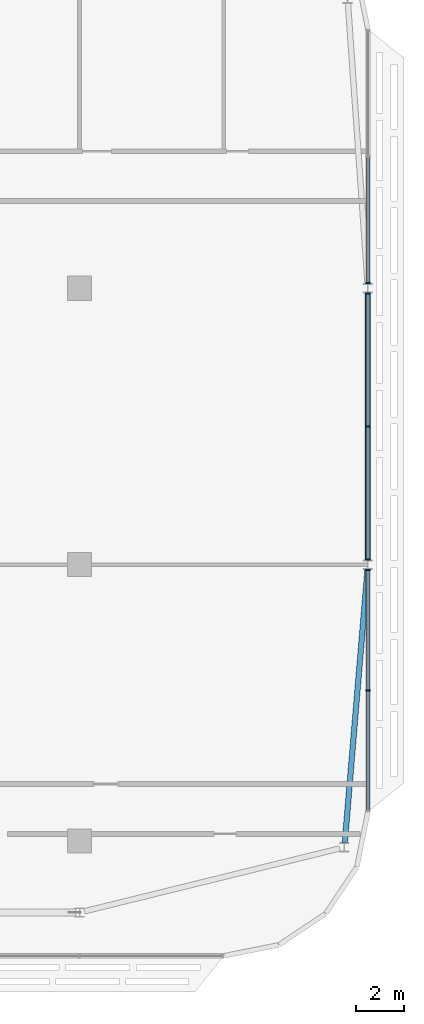
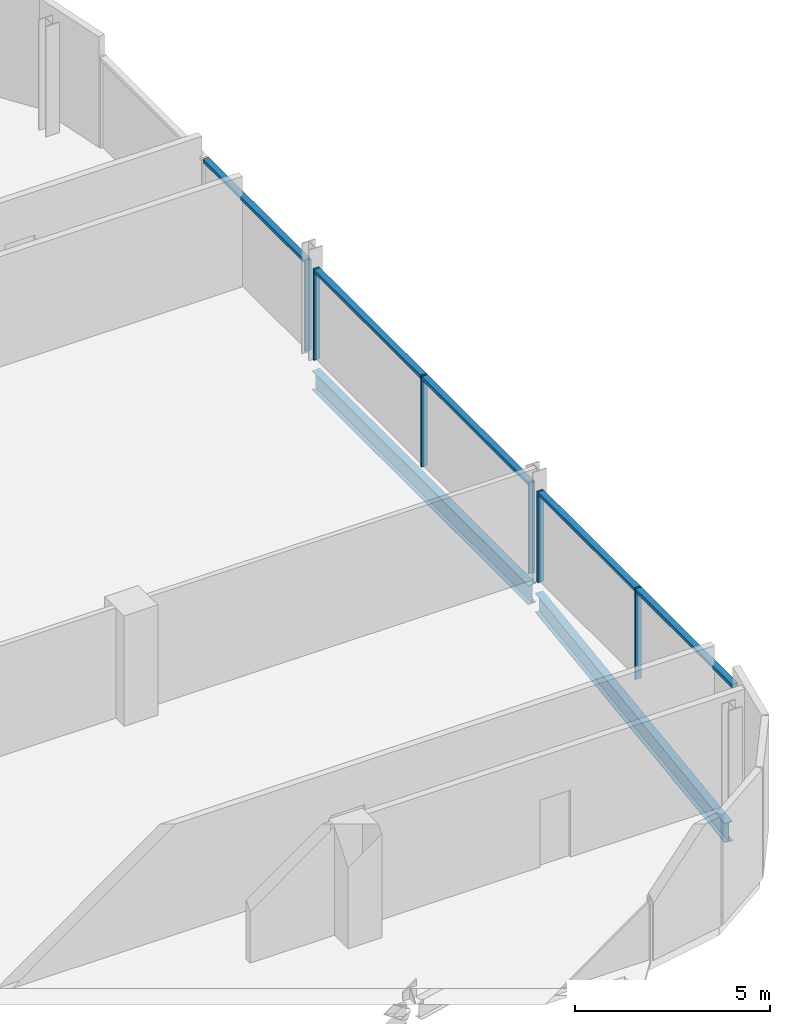
# One storey, part 13 of 32: 11 members, 2 beams, 3 elements without a shape of their own.
"""IFC4 building model written with IfcOpenShell, lengths in metres."""

from ifc_helpers import new_model, si_unit, direction, frame, origin, origin_2d, place, context, subcontext, project, spatial, rectangle, i_section, extrude, material, material_profile, profile_set, type_object, element, aggregate, save


model = new_model("IFC4")

# Units and contexts
model_context = context("Model", 3, precision=1e-05, world=origin(), true_north=direction((0.0, 1.0)))
body_context = subcontext(model_context, "Body", "Model", "MODEL_VIEW")
ifc_project = project(units=[si_unit("LENGTHUNIT", "METRE"), si_unit("AREAUNIT", "SQUARE_METRE"), si_unit("VOLUMEUNIT", "CUBIC_METRE"), si_unit("PLANEANGLEUNIT", "RADIAN"), si_unit("MASSUNIT", "GRAM", prefix="KILO")], contexts=[model_context])

# Site, building, storey
site_placement = place(None, origin())
site = spatial("IfcSite", under=ifc_project, at=site_placement, CompositionType="ELEMENT")
building_placement = place(site_placement, origin())
building = spatial("IfcBuilding", under=site, at=building_placement, Name="Mahtab Terrace Research Tower", CompositionType="ELEMENT")
storey_placement = place(building_placement, frame((0.0, 0.0, 236.199951171875)))
storey = spatial("IfcBuildingStorey", under=building, at=storey_placement, Name="L57", CompositionType="ELEMENT", Elevation=236.199951171875)

# Curtain wall, members
ifc_material_1 = material(Name="Office ribbon curtain wall")
curtain_wall_type = type_object("IfcCurtainWallType", Name="Office ribbon curtain wall", PredefinedType="NOTDEFINED", material=ifc_material_1)
curtain_wall_1_placement = place(storey_placement, origin())
curtain_wall_1 = element("IfcCurtainWall", 1, at=curtain_wall_1_placement, inside=storey, type_object=curtain_wall_type, Name="EN.L57.18.21", PredefinedType="NOTDEFINED")
ifc_material_2 = material(Name="Natural anodised aluminium", Category="aluminium")
ifc_material_profile_1 = material_profile(ifc_material_2, rectangle(XDim=0.179931640625, YDim=0.06005859375, at=origin_2d()), Name="MULLION 60x180")
ifc_profile_set_1 = profile_set([ifc_material_profile_1], Name="Natural anodised aluminium")
member_type_1 = type_object("IfcMemberType", Name="Office ribbon curtain wall mullion", PredefinedType="MULLION", material=ifc_profile_set_1)
member_1_placement = place(storey_placement, frame((54.0, -5.235595703125, 0.0), z_axis=(0.0, 0.0, 1.0), x_axis=(-1.0, 0.0, 0.0)))
member_1 = element("IfcMember", 2, at=member_1_placement, type_object=member_type_1, Name="CWO-7 mullion 2", PredefinedType="MULLION", context=body_context, shape_type="SweptSolid", body=[
    extrude(rectangle(XDim=0.179931640625, YDim=0.06005859375, at=origin_2d()), origin(), (0.0, 0.0, 1.0), 2.85302734375),
])
member_2_placement = place(storey_placement, frame((54.0, -0.222900390625, 0.0), z_axis=(0.0, 0.0, 1.0), x_axis=(-1.0, 0.0, 0.0)))
member_2 = element("IfcMember", 3, at=member_2_placement, type_object=member_type_1, Name="CWO-7 mullion 3", PredefinedType="MULLION", context=body_context, shape_type="SweptSolid", body=[
    extrude(rectangle(XDim=0.179931640625, YDim=0.06005859375, at=origin_2d()), origin(), (0.0, 0.0, 1.0), 2.85302734375),
])

curtain_wall_2_placement = place(storey_placement, origin())
curtain_wall_2 = element("IfcCurtainWall", 4, at=curtain_wall_2_placement, inside=storey, type_object=curtain_wall_type, Name="EN.L57.18.22", PredefinedType="NOTDEFINED")
member_3_placement = place(storey_placement, frame((54.0, 0.222900390625, 0.0), z_axis=(0.0, 0.0, 1.0), x_axis=(-1.0, 0.0, 0.0)))
member_3 = element("IfcMember", 5, at=member_3_placement, type_object=member_type_1, Name="CWO-7 mullion 1", PredefinedType="MULLION", context=body_context, shape_type="SweptSolid", body=[
    extrude(rectangle(XDim=0.179931640625, YDim=0.06005859375, at=origin_2d()), origin(), (0.0, 0.0, 1.0), 2.85302734375),
])
member_4_placement = place(storey_placement, frame((54.0, 5.75, 0.0), z_axis=(0.0, 0.0, 1.0), x_axis=(-1.0, 0.0, 0.0)))
member_4 = element("IfcMember", 6, at=member_4_placement, type_object=member_type_1, Name="CWO-7 mullion 2", PredefinedType="MULLION", context=body_context, shape_type="SweptSolid", body=[
    extrude(rectangle(XDim=0.179931640625, YDim=0.06005859375, at=origin_2d()), origin(), (0.0, 0.0, 1.0), 2.85302734375),
])
member_5_placement = place(storey_placement, frame((54.0, 11.277099609375, 0.0), z_axis=(0.0, 0.0, 1.0), x_axis=(-1.0, 0.0, 0.0)))
member_5 = element("IfcMember", 7, at=member_5_placement, type_object=member_type_1, Name="CWO-7 mullion 3", PredefinedType="MULLION", context=body_context, shape_type="SweptSolid", body=[
    extrude(rectangle(XDim=0.179931640625, YDim=0.06005859375, at=origin_2d()), origin(), (0.0, 0.0, 1.0), 2.85302734375),
])

# Curtain wall, member
curtain_wall_3_placement = place(storey_placement, origin())
curtain_wall_3 = element("IfcCurtainWall", 8, at=curtain_wall_3_placement, inside=storey, type_object=curtain_wall_type, Name="EN.L57.18.23", PredefinedType="NOTDEFINED")
member_6_placement = place(storey_placement, frame((54.0, 11.722900390625, 0.0), z_axis=(0.0, 0.0, 1.0), x_axis=(-1.0, 0.0, 0.0)))
member_6 = element("IfcMember", 9, at=member_6_placement, type_object=member_type_1, Name="CWO-7 mullion 1", PredefinedType="MULLION", context=body_context, shape_type="SweptSolid", body=[
    extrude(rectangle(XDim=0.179931640625, YDim=0.06005859375, at=origin_2d()), origin(), (0.0, 0.0, 1.0), 2.85302734375),
])

# Member
ifc_material_profile_2 = material_profile(ifc_material_2, rectangle(XDim=0.179931640625, YDim=0.10009765625, at=origin_2d()), Name="TRANSOM 100x180")
ifc_profile_set_2 = profile_set([ifc_material_profile_2], Name="Natural anodised aluminium")
member_type_2 = type_object("IfcMemberType", Name="Office ribbon curtain wall transom", PredefinedType="USERDEFINED", material=ifc_profile_set_2)
member_7_placement = place(storey_placement, frame((54.0, -10.218017578125, 2.802978515625), z_axis=(0.0, 1.0, 0.0), x_axis=(-1.0, 0.0, 0.0)))
member_7 = element("IfcMember", 10, at=member_7_placement, type_object=member_type_2, Name="CWO-7 transom 1", ObjectType="TRANSOM", PredefinedType="USERDEFINED", context=body_context, shape_type="SweptSolid", body=[
    extrude(rectangle(XDim=0.179931640625, YDim=0.10009765625, at=origin_2d()), origin(), (0.0, 0.0, 1.0), 4.95263671875),
])

member_8_placement = place(storey_placement, frame((54.0, -5.20556640625, 2.802978515625), z_axis=(0.0, 1.0, 0.0), x_axis=(-1.0, 0.0, 0.0)))
member_8 = element("IfcMember", 11, at=member_8_placement, type_object=member_type_2, Name="CWO-7 transom 2", ObjectType="TRANSOM", PredefinedType="USERDEFINED", context=body_context, shape_type="SweptSolid", body=[
    extrude(rectangle(XDim=0.179931640625, YDim=0.10009765625, at=origin_2d()), origin(), (0.0, 0.0, 1.0), 4.95263671875),
])

aggregate(curtain_wall_1, [member_1, member_2, member_7, member_8])

member_9_placement = place(storey_placement, frame((54.0, 0.2529296875, 2.802978515625), z_axis=(0.0, 1.0, 0.0), x_axis=(-1.0, 0.0, 0.0)))
member_9 = element("IfcMember", 12, at=member_9_placement, type_object=member_type_2, Name="CWO-7 transom 1", ObjectType="TRANSOM", PredefinedType="USERDEFINED", context=body_context, shape_type="SweptSolid", body=[
    extrude(rectangle(XDim=0.179931640625, YDim=0.10009765625, at=origin_2d()), origin(), (0.0, 0.0, 1.0), 5.467041015625),
])

member_10_placement = place(storey_placement, frame((54.0, 5.780029296875, 2.802978515625), z_axis=(0.0, 1.0, 0.0), x_axis=(-1.0, 0.0, 0.0)))
member_10 = element("IfcMember", 13, at=member_10_placement, type_object=member_type_2, Name="CWO-7 transom 2", ObjectType="TRANSOM", PredefinedType="USERDEFINED", context=body_context, shape_type="SweptSolid", body=[
    extrude(rectangle(XDim=0.179931640625, YDim=0.10009765625, at=origin_2d()), origin(), (0.0, 0.0, 1.0), 5.467041015625),
])

aggregate(curtain_wall_2, [member_3, member_4, member_5, member_9, member_10])

member_11_placement = place(storey_placement, frame((54.0, 11.7529296875, 2.802978515625), z_axis=(0.0, 1.0, 0.0), x_axis=(-1.0, 0.0, 0.0)))
member_11 = element("IfcMember", 14, at=member_11_placement, type_object=member_type_2, Name="CWO-7 transom 1", ObjectType="TRANSOM", PredefinedType="USERDEFINED", context=body_context, shape_type="SweptSolid", body=[
    extrude(rectangle(XDim=0.179931640625, YDim=0.10009765625, at=origin_2d()), origin(), (0.0, 0.0, 1.0), 5.20263671875),
])

aggregate(curtain_wall_3, [member_6, member_11])

# Beams
ifc_material_3 = material(Name="Steel ASTM A992 Gr 50", Category="steel")
ifc_material_profile_3 = material_profile(ifc_material_3, i_section(OverallWidth=0.228271484375, OverallDepth=0.607177734375, WebThickness=0.01123046875, FlangeThickness=0.017333984375, at=origin_2d()), Name="W24X76")
ifc_profile_set_3 = profile_set([ifc_material_profile_3], Name="Steel ASTM A992 Gr 50")
beam_type = type_object("IfcBeamType", Name="W24x76 beam BS2476", PredefinedType="BEAM", material=ifc_profile_set_3)
beam_1_placement = place(storey_placement, frame((53.037109375, -11.56494140625, -0.6435546875), z_axis=(0.08296934335, 0.996552100025, 0.0), x_axis=(-0.996552100025, 0.08296934335, 0.0)))
element("IfcBeam", 15, at=beam_1_placement, inside=storey, type_object=beam_type, Name="Spandrel beam L57 20", PredefinedType="BEAM", context=body_context, shape_type="SweptSolid", body=[
    extrude(i_section(OverallWidth=0.228271484375, OverallDepth=0.607177734375, WebThickness=0.01123046875, FlangeThickness=0.017333984375, at=origin_2d()), origin(), (0.0, 0.0, 1.0), 11.4111328125),
])
beam_2_placement = place(storey_placement, frame((54.0, 0.193115234375, -0.6435546875), z_axis=(0.0, 1.0, 0.0), x_axis=(-1.0, 0.0, 0.0)))
element("IfcBeam", 16, at=beam_2_placement, inside=storey, type_object=beam_type, Name="Spandrel beam L57 21", PredefinedType="BEAM", context=body_context, shape_type="SweptSolid", body=[
    extrude(i_section(OverallWidth=0.228271484375, OverallDepth=0.607177734375, WebThickness=0.01123046875, FlangeThickness=0.017333984375, at=origin_2d()), origin(), (0.0, 0.0, 1.0), 11.11376953125),
])

save(model, "model.ifc")
